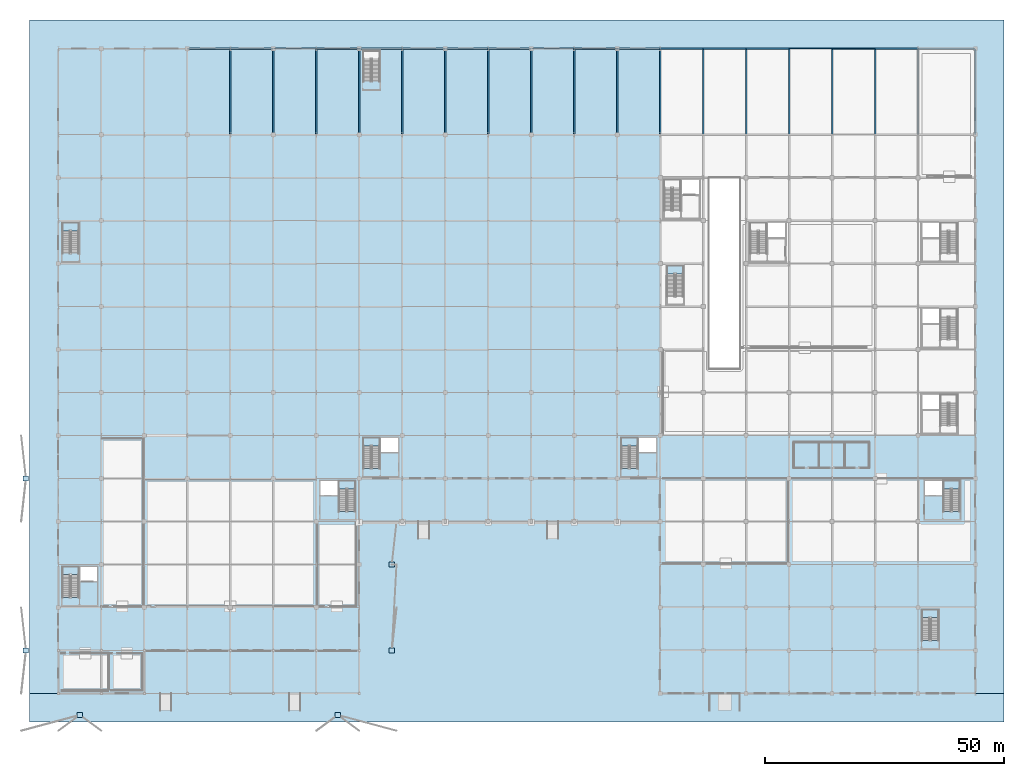
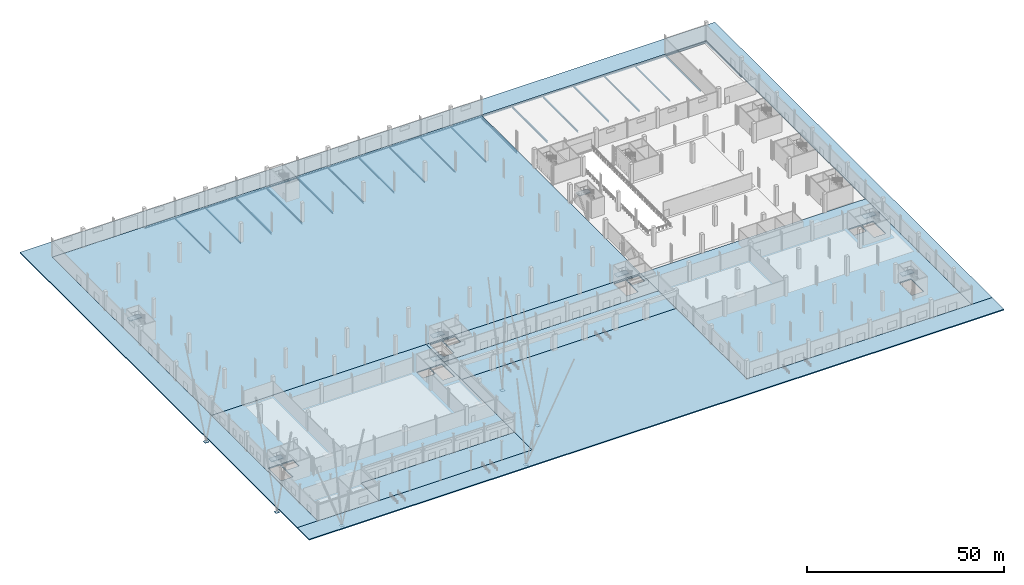
# One storey, part 24 of 58: 36 beams, 16 slabs, 6 plates, 8 elements without a shape of their own.
"""IFC4 building model written with IfcOpenShell, lengths in metres."""

from ifc_helpers import new_model, si_unit, direction, frame, origin, origin_2d, place, context, subcontext, project, spatial, polyline, rectangle, hollow_rectangle, i_section, outline, extrude, material, layer, layer_set, material_profile, profile_set, type_object, element, aggregate, save


model = new_model("IFC4")

# Units and contexts
model_context = context("Model", 3, precision=1e-05, world=origin(), true_north=direction((0.0, 1.0)))
body_context = subcontext(model_context, "Body", "Model", "MODEL_VIEW")
ifc_project = project(units=[si_unit("LENGTHUNIT", "METRE"), si_unit("AREAUNIT", "SQUARE_METRE"), si_unit("VOLUMEUNIT", "CUBIC_METRE"), si_unit("PLANEANGLEUNIT", "RADIAN"), si_unit("MASSUNIT", "GRAM", prefix="KILO")], contexts=[model_context])

# Site, building, storey
site_placement = place(None, origin())
site = spatial("IfcSite", under=ifc_project, at=site_placement, CompositionType="ELEMENT")
building_placement = place(site_placement, origin())
building = spatial("IfcBuilding", under=site, at=building_placement, Name="Barlavento Convention Centre", CompositionType="ELEMENT")
storey_placement = place(building_placement, origin())
storey = spatial("IfcBuildingStorey", under=building, at=storey_placement, Name="L00", CompositionType="ELEMENT", Elevation=0.0)

# Beams
ifc_material_1 = material(Name="Steel S355", Category="steel")
ifc_material_profile_1 = material_profile(ifc_material_1, i_section(OverallWidth=0.300048828125, OverallDepth=0.330078125, WebThickness=0.009521484375, FlangeThickness=0.0166015625, FilletRadius=0.027099609375, at=origin_2d()), Name="HEA 340")
ifc_profile_set_1 = profile_set([ifc_material_profile_1], Name="Steel S355")
beam_type_1 = type_object("IfcBeamType", Name="STR-BM-PRI-HEA340", PredefinedType="BEAM", material=ifc_profile_set_1)
for number, where, z_axis, x_axis, name in (
    (1, (45.0, 117.02001953125, -0.544921875), (0.0, 1.0, 0.0), (-1.0, 0.0, 0.0), "L00 grid girder BG24"),
    (2, (117.0, 117.02001953125, -0.544921875), (0.0, 1.0, 0.0), (-1.0, 0.0, 0.0), "L00 grid girder BG24"),
):
    element("IfcBeam", number, at=place(storey_placement, frame(where, z_axis=z_axis, x_axis=x_axis)), inside=storey, type_object=beam_type_1, Name=name, PredefinedType="BEAM", context=body_context, shape_type="SweptSolid", body=[
        extrude(i_section(OverallWidth=0.300048828125, OverallDepth=0.330078125, WebThickness=0.009521484375, FlangeThickness=0.0166015625, FilletRadius=0.027099609375, at=origin_2d()), origin(), (0.0, 0.0, 1.0), 17.9599609375),
    ])
ifc_material_profile_2 = material_profile(ifc_material_1, i_section(OverallWidth=0.300048828125, OverallDepth=0.35009765625, WebThickness=0.010009765625, FlangeThickness=0.017578125, FilletRadius=0.027099609375, at=origin_2d()), Name="HEA 360")
ifc_profile_set_2 = profile_set([ifc_material_profile_2], Name="Steel S355")
beam_type_2 = type_object("IfcBeamType", Name="STR-BM-PRI-HEA360", PredefinedType="BEAM", material=ifc_profile_set_2)
for number, where, z_axis, x_axis, name in (
    (3, (36.0, 117.02001953125, -0.554931640625), (0.0, 1.0, 0.0), (-1.0, 0.0, 0.0), "L00 grid girder BG23"),
    (4, (108.0, 117.02001953125, -0.554931640625), (0.0, 1.0, 0.0), (-1.0, 0.0, 0.0), "L00 grid girder BG23"),
    (5, (180.0, 117.02001953125, -0.594970703125), (0.0, 1.0, 0.0), (-1.0, 0.0, 0.0), "L00 grid girder BG23"),
):
    element("IfcBeam", number, at=place(storey_placement, frame(where, z_axis=z_axis, x_axis=x_axis)), inside=storey, type_object=beam_type_2, Name=name, PredefinedType="BEAM", context=body_context, shape_type="SweptSolid", body=[
        extrude(i_section(OverallWidth=0.300048828125, OverallDepth=0.35009765625, WebThickness=0.010009765625, FlangeThickness=0.017578125, FilletRadius=0.027099609375, at=origin_2d()), origin(), (0.0, 0.0, 1.0), 17.9599609375),
    ])
ifc_material_profile_3 = material_profile(ifc_material_1, i_section(OverallWidth=0.300048828125, OverallDepth=0.389892578125, WebThickness=0.010986328125, FlangeThickness=0.01904296875, FilletRadius=0.027099609375, at=origin_2d()), Name="HEA 400")
ifc_profile_set_3 = profile_set([ifc_material_profile_3], Name="Steel S355")
beam_type_3 = type_object("IfcBeamType", Name="STR-BM-PRI-HEA400", PredefinedType="BEAM", material=ifc_profile_set_3)
for number, where, z_axis, x_axis, name in (
    (6, (99.0, 117.02001953125, -0.574951171875), (0.0, 1.0, 0.0), (-1.0, 0.0, 0.0), "L00 grid girder BG22"),
    (7, (171.0, 117.02001953125, -0.5048828125), (0.0, 1.0, 0.0), (-1.0, 0.0, 0.0), "L00 grid girder BG22"),
):
    element("IfcBeam", number, at=place(storey_placement, frame(where, z_axis=z_axis, x_axis=x_axis)), inside=storey, type_object=beam_type_3, Name=name, PredefinedType="BEAM", context=body_context, shape_type="SweptSolid", body=[
        extrude(i_section(OverallWidth=0.300048828125, OverallDepth=0.389892578125, WebThickness=0.010986328125, FlangeThickness=0.01904296875, FilletRadius=0.027099609375, at=origin_2d()), origin(), (0.0, 0.0, 1.0), 17.9599609375),
    ])
ifc_material_profile_4 = material_profile(ifc_material_1, i_section(OverallWidth=0.300048828125, OverallDepth=0.43994140625, WebThickness=0.011474609375, FlangeThickness=0.02099609375, FilletRadius=0.027099609375, at=origin_2d()), Name="HEA 450")
ifc_profile_set_4 = profile_set([ifc_material_profile_4], Name="Steel S355")
beam_type_4 = type_object("IfcBeamType", Name="STR-BM-PRI-HEA450", PredefinedType="BEAM", material=ifc_profile_set_4)
for number, where, z_axis, x_axis, name in (
    (8, (90.0, 117.02001953125, -0.60009765625), (0.0, 1.0, 0.0), (-1.0, 0.0, 0.0), "L00 grid girder BG21"),
    (9, (162.0, 117.02001953125, -0.530029296875), (0.0, 1.0, 0.0), (-1.0, 0.0, 0.0), "L00 grid girder BG21"),
):
    element("IfcBeam", number, at=place(storey_placement, frame(where, z_axis=z_axis, x_axis=x_axis)), inside=storey, type_object=beam_type_4, Name=name, PredefinedType="BEAM", context=body_context, shape_type="SweptSolid", body=[
        extrude(i_section(OverallWidth=0.300048828125, OverallDepth=0.43994140625, WebThickness=0.011474609375, FlangeThickness=0.02099609375, FilletRadius=0.027099609375, at=origin_2d()), origin(), (0.0, 0.0, 1.0), 17.9599609375),
    ])
ifc_material_profile_5 = material_profile(ifc_material_1, i_section(OverallWidth=0.300048828125, OverallDepth=0.489990234375, WebThickness=0.011962890625, FlangeThickness=0.02294921875, FilletRadius=0.027099609375, at=origin_2d()), Name="HEA 500")
ifc_profile_set_5 = profile_set([ifc_material_profile_5], Name="Steel S355")
beam_type_5 = type_object("IfcBeamType", Name="STR-BM-PRI-HEA500", PredefinedType="BEAM", material=ifc_profile_set_5)
for number, where, z_axis, x_axis, name in (
    (10, (81.0, 117.02001953125, -0.625), (0.0, 1.0, 0.0), (-1.0, 0.0, 0.0), "L00 grid girder BG20"),
    (11, (153.0, 117.02001953125, -0.554931640625), (0.0, 1.0, 0.0), (-1.0, 0.0, 0.0), "L00 grid girder BG20"),
):
    element("IfcBeam", number, at=place(storey_placement, frame(where, z_axis=z_axis, x_axis=x_axis)), inside=storey, type_object=beam_type_5, Name=name, PredefinedType="BEAM", context=body_context, shape_type="SweptSolid", body=[
        extrude(i_section(OverallWidth=0.300048828125, OverallDepth=0.489990234375, WebThickness=0.011962890625, FlangeThickness=0.02294921875, FilletRadius=0.027099609375, at=origin_2d()), origin(), (0.0, 0.0, 1.0), 17.9599609375),
    ])
ifc_material_profile_6 = material_profile(ifc_material_1, i_section(OverallWidth=0.300048828125, OverallDepth=0.5400390625, WebThickness=0.012451171875, FlangeThickness=0.02392578125, FilletRadius=0.027099609375, at=origin_2d()), Name="HEA 550")
ifc_profile_set_6 = profile_set([ifc_material_profile_6], Name="Steel S355")
beam_type_6 = type_object("IfcBeamType", Name="STR-BM-PRI-HEA550", PredefinedType="BEAM", material=ifc_profile_set_6)
for number, where, z_axis, x_axis, name in (
    (12, (72.0, 117.02001953125, -0.64990234375), (0.0, 1.0, 0.0), (-1.0, 0.0, 0.0), "L00 grid girder BG19"),
    (13, (144.0, 117.02001953125, -0.580078125), (0.0, 1.0, 0.0), (-1.0, 0.0, 0.0), "L00 grid girder BG19"),
):
    element("IfcBeam", number, at=place(storey_placement, frame(where, z_axis=z_axis, x_axis=x_axis)), inside=storey, type_object=beam_type_6, Name=name, PredefinedType="BEAM", context=body_context, shape_type="SweptSolid", body=[
        extrude(i_section(OverallWidth=0.300048828125, OverallDepth=0.5400390625, WebThickness=0.012451171875, FlangeThickness=0.02392578125, FilletRadius=0.027099609375, at=origin_2d()), origin(), (0.0, 0.0, 1.0), 17.9599609375),
    ])
ifc_material_profile_7 = material_profile(ifc_material_1, i_section(OverallWidth=0.300048828125, OverallDepth=0.590087890625, WebThickness=0.012939453125, FlangeThickness=0.02490234375, FilletRadius=0.027099609375, at=origin_2d()), Name="HEA 600")
ifc_profile_set_7 = profile_set([ifc_material_profile_7], Name="Steel S355")
beam_type_7 = type_object("IfcBeamType", Name="STR-BM-PRI-HEA600", PredefinedType="BEAM", material=ifc_profile_set_7)
for number, where, z_axis, x_axis, name in (
    (14, (63.0, 117.02001953125, -0.675048828125), (0.0, 1.0, 0.0), (-1.0, 0.0, 0.0), "L00 grid girder BG18"),
    (15, (135.0, 117.02001953125, -0.60498046875), (0.0, 1.0, 0.0), (-1.0, 0.0, 0.0), "L00 grid girder BG18"),
):
    element("IfcBeam", number, at=place(storey_placement, frame(where, z_axis=z_axis, x_axis=x_axis)), inside=storey, type_object=beam_type_7, Name=name, PredefinedType="BEAM", context=body_context, shape_type="SweptSolid", body=[
        extrude(i_section(OverallWidth=0.300048828125, OverallDepth=0.590087890625, WebThickness=0.012939453125, FlangeThickness=0.02490234375, FilletRadius=0.027099609375, at=origin_2d()), origin(), (0.0, 0.0, 1.0), 17.9599609375),
    ])
ifc_material_profile_8 = material_profile(ifc_material_1, i_section(OverallWidth=0.300048828125, OverallDepth=0.639892578125, WebThickness=0.013427734375, FlangeThickness=0.02587890625, FilletRadius=0.027099609375, at=origin_2d()), Name="HEA 650")
ifc_profile_set_8 = profile_set([ifc_material_profile_8], Name="Steel S355")
beam_type_8 = type_object("IfcBeamType", Name="STR-BM-PRI-HEA650", PredefinedType="BEAM", material=ifc_profile_set_8)
for number, where, z_axis, x_axis, name in (
    (16, (54.0, 117.02001953125, -0.699951171875), (0.0, 1.0, 0.0), (-1.0, 0.0, 0.0), "L00 grid girder BG17"),
    (17, (126.0, 117.02001953125, -0.699951171875), (0.0, 1.0, 0.0), (-1.0, 0.0, 0.0), "L00 grid girder BG17"),
):
    element("IfcBeam", number, at=place(storey_placement, frame(where, z_axis=z_axis, x_axis=x_axis)), inside=storey, type_object=beam_type_8, Name=name, PredefinedType="BEAM", context=body_context, shape_type="SweptSolid", body=[
        extrude(i_section(OverallWidth=0.300048828125, OverallDepth=0.639892578125, WebThickness=0.013427734375, FlangeThickness=0.02587890625, FilletRadius=0.027099609375, at=origin_2d()), origin(), (0.0, 0.0, 1.0), 17.9599609375),
    ])
ifc_material_profile_9 = material_profile(ifc_material_1, i_section(OverallWidth=0.239990234375, OverallDepth=0.22998046875, WebThickness=0.007568359375, FlangeThickness=0.011962890625, FilletRadius=0.02099609375, at=origin_2d()), Name="HEA 240")
ifc_profile_set_9 = profile_set([ifc_material_profile_9], Name="Steel S355")
beam_type_9 = type_object("IfcBeamType", Name="STR-BM-SPN-HEA240", PredefinedType="SPANDREL", material=ifc_profile_set_9)
for number, where, z_axis, x_axis, name in (
    (18, (45.02001953125, 135.0, -0.4951171875), (1.0, 0.0, 0.0), (0.0, 1.0, 0.0), "L00 primary girder SP05"),
    (19, (99.02001953125, 135.0, -0.4951171875), (1.0, 0.0, 0.0), (0.0, 1.0, 0.0), "L00 primary girder SP05"),
    (20, (153.02001953125, 135.0, -0.425048828125), (1.0, 0.0, 0.0), (0.0, 1.0, 0.0), "L00 primary girder SP05"),
):
    element("IfcBeam", number, at=place(storey_placement, frame(where, z_axis=z_axis, x_axis=x_axis)), inside=storey, type_object=beam_type_9, Name=name, PredefinedType="SPANDREL", context=body_context, shape_type="SweptSolid", body=[
        extrude(i_section(OverallWidth=0.239990234375, OverallDepth=0.22998046875, WebThickness=0.007568359375, FlangeThickness=0.011962890625, FilletRadius=0.02099609375, at=origin_2d()), origin(), (0.0, 0.0, 1.0), 8.9599609375),
    ])
ifc_material_profile_10 = material_profile(ifc_material_1, i_section(OverallWidth=0.260009765625, OverallDepth=0.25, WebThickness=0.007568359375, FlangeThickness=0.012451171875, FilletRadius=0.02392578125, at=origin_2d()), Name="HEA 260")
ifc_profile_set_10 = profile_set([ifc_material_profile_10], Name="Steel S355")
beam_type_10 = type_object("IfcBeamType", Name="STR-BM-SPN-HEA260", PredefinedType="SPANDREL", material=ifc_profile_set_10)
for number, where, z_axis, x_axis, name in (
    (21, (36.02001953125, 135.0, -0.5048828125), (1.0, 0.0, 0.0), (0.0, 1.0, 0.0), "L00 primary girder SP04"),
    (22, (90.02001953125, 135.0, -0.5048828125), (1.0, 0.0, 0.0), (0.0, 1.0, 0.0), "L00 primary girder SP04"),
    (23, (144.02001953125, 135.0, -0.43505859375), (1.0, 0.0, 0.0), (0.0, 1.0, 0.0), "L00 primary girder SP04"),
):
    element("IfcBeam", number, at=place(storey_placement, frame(where, z_axis=z_axis, x_axis=x_axis)), inside=storey, type_object=beam_type_10, Name=name, PredefinedType="SPANDREL", context=body_context, shape_type="SweptSolid", body=[
        extrude(i_section(OverallWidth=0.260009765625, OverallDepth=0.25, WebThickness=0.007568359375, FlangeThickness=0.012451171875, FilletRadius=0.02392578125, at=origin_2d()), origin(), (0.0, 0.0, 1.0), 8.9599609375),
    ])
beam_1_placement = place(storey_placement, frame((192.0, 117.02001953125, -0.544921875), z_axis=(0.0, 1.0, 0.0), x_axis=(-1.0, 0.0, 0.0)))
element("IfcBeam", 24, at=beam_1_placement, inside=storey, type_object=beam_type_10, Name="L00 grid girder SP04", PredefinedType="SPANDREL", context=body_context, shape_type="SweptSolid", body=[
    extrude(i_section(OverallWidth=0.260009765625, OverallDepth=0.25, WebThickness=0.007568359375, FlangeThickness=0.012451171875, FilletRadius=0.02392578125, at=origin_2d()), origin(), (0.0, 0.0, 1.0), 17.9599609375),
])
ifc_material_profile_11 = material_profile(ifc_material_1, i_section(OverallWidth=0.280029296875, OverallDepth=0.27001953125, WebThickness=0.008056640625, FlangeThickness=0.012939453125, FilletRadius=0.02392578125, at=origin_2d()), Name="HEA 280")
ifc_profile_set_11 = profile_set([ifc_material_profile_11], Name="Steel S355")
beam_type_11 = type_object("IfcBeamType", Name="STR-BM-SPN-HEA280", PredefinedType="SPANDREL", material=ifc_profile_set_11)
for number, where, z_axis, x_axis, name in (
    (25, (27.02001953125, 135.0, -0.514892578125), (1.0, 0.0, 0.0), (0.0, 1.0, 0.0), "L00 primary girder SP03"),
    (26, (81.02001953125, 135.0, -0.514892578125), (1.0, 0.0, 0.0), (0.0, 1.0, 0.0), "L00 primary girder SP03"),
    (27, (135.02001953125, 135.0, -0.445068359375), (1.0, 0.0, 0.0), (0.0, 1.0, 0.0), "L00 primary girder SP03"),
):
    element("IfcBeam", number, at=place(storey_placement, frame(where, z_axis=z_axis, x_axis=x_axis)), inside=storey, type_object=beam_type_11, Name=name, PredefinedType="SPANDREL", context=body_context, shape_type="SweptSolid", body=[
        extrude(i_section(OverallWidth=0.280029296875, OverallDepth=0.27001953125, WebThickness=0.008056640625, FlangeThickness=0.012939453125, FilletRadius=0.02392578125, at=origin_2d()), origin(), (0.0, 0.0, 1.0), 8.9599609375),
    ])
ifc_material_profile_12 = material_profile(ifc_material_1, i_section(OverallWidth=0.300048828125, OverallDepth=0.2900390625, WebThickness=0.008544921875, FlangeThickness=0.013916015625, FilletRadius=0.027099609375, at=origin_2d()), Name="HEA 300")
ifc_profile_set_12 = profile_set([ifc_material_profile_12], Name="Steel S355")
beam_type_12 = type_object("IfcBeamType", Name="STR-BM-SPN-HEA300", PredefinedType="SPANDREL", material=ifc_profile_set_12)
for number, where, z_axis, x_axis, name in (
    (28, (72.02001953125, 135.0, -0.52490234375), (1.0, 0.0, 0.0), (0.0, 1.0, 0.0), "L00 primary girder SP02"),
    (29, (126.02001953125, 135.0, -0.52490234375), (1.0, 0.0, 0.0), (0.0, 1.0, 0.0), "L00 primary girder SP02"),
):
    element("IfcBeam", number, at=place(storey_placement, frame(where, z_axis=z_axis, x_axis=x_axis)), inside=storey, type_object=beam_type_12, Name=name, PredefinedType="SPANDREL", context=body_context, shape_type="SweptSolid", body=[
        extrude(i_section(OverallWidth=0.300048828125, OverallDepth=0.2900390625, WebThickness=0.008544921875, FlangeThickness=0.013916015625, FilletRadius=0.027099609375, at=origin_2d()), origin(), (0.0, 0.0, 1.0), 8.9599609375),
    ])
beam_2_placement = place(storey_placement, frame((180.02001953125, 135.0, -0.56494140625), z_axis=(1.0, 0.0, 0.0), x_axis=(0.0, 1.0, 0.0)))
element("IfcBeam", 30, at=beam_2_placement, inside=storey, type_object=beam_type_12, Name="L00 primary girder SP02", PredefinedType="SPANDREL", context=body_context, shape_type="SweptSolid", body=[
    extrude(i_section(OverallWidth=0.300048828125, OverallDepth=0.2900390625, WebThickness=0.008544921875, FlangeThickness=0.013916015625, FilletRadius=0.027099609375, at=origin_2d()), origin(), (0.0, 0.0, 1.0), 11.9599609375),
])
ifc_material_profile_13 = material_profile(ifc_material_1, i_section(OverallWidth=0.300048828125, OverallDepth=0.31005859375, WebThickness=0.009033203125, FlangeThickness=0.015380859375, FilletRadius=0.027099609375, at=origin_2d()), Name="HEA 320")
ifc_profile_set_13 = profile_set([ifc_material_profile_13], Name="Steel S355")
beam_type_13 = type_object("IfcBeamType", Name="STR-BM-SPN-HEA320", PredefinedType="SPANDREL", material=ifc_profile_set_13)
for number, where, z_axis, x_axis, name in (
    (31, (63.02001953125, 135.0, -0.534912109375), (1.0, 0.0, 0.0), (0.0, 1.0, 0.0), "L00 primary girder SP01"),
    (32, (117.02001953125, 135.0, -0.534912109375), (1.0, 0.0, 0.0), (0.0, 1.0, 0.0), "L00 primary girder SP01"),
    (33, (171.02001953125, 135.0, -0.574951171875), (1.0, 0.0, 0.0), (0.0, 1.0, 0.0), "L00 primary girder SP01"),
):
    element("IfcBeam", number, at=place(storey_placement, frame(where, z_axis=z_axis, x_axis=x_axis)), inside=storey, type_object=beam_type_13, Name=name, PredefinedType="SPANDREL", context=body_context, shape_type="SweptSolid", body=[
        extrude(i_section(OverallWidth=0.300048828125, OverallDepth=0.31005859375, WebThickness=0.009033203125, FlangeThickness=0.015380859375, FilletRadius=0.027099609375, at=origin_2d()), origin(), (0.0, 0.0, 1.0), 8.9599609375),
    ])
ifc_material_profile_14 = material_profile(ifc_material_1, hollow_rectangle(XDim=0.199951171875, YDim=0.39990234375, WallThickness=0.01611328125, at=origin_2d()), Name="RHS 400x200x16.0")
ifc_profile_set_14 = profile_set([ifc_material_profile_14], Name="Steel S355")
beam_type_14 = type_object("IfcBeamType", Name="STR-BM-SPN-RHS400", PredefinedType="SPANDREL", material=ifc_profile_set_14)
for number, where, z_axis, x_axis, name in (
    (34, (54.02001953125, 135.0, -0.580078125), (1.0, 0.0, 0.0), (0.0, 1.0, 0.0), "L00 primary girder SP06"),
    (35, (108.02001953125, 135.0, -0.580078125), (1.0, 0.0, 0.0), (0.0, 1.0, 0.0), "L00 primary girder SP06"),
    (36, (162.02001953125, 135.0, -0.510009765625), (1.0, 0.0, 0.0), (0.0, 1.0, 0.0), "L00 primary girder SP06"),
):
    element("IfcBeam", number, at=place(storey_placement, frame(where, z_axis=z_axis, x_axis=x_axis)), inside=storey, type_object=beam_type_14, Name=name, PredefinedType="SPANDREL", context=body_context, shape_type="SweptSolid", body=[
        extrude(hollow_rectangle(XDim=0.199951171875, YDim=0.39990234375, WallThickness=0.01611328125, at=origin_2d()), origin(), (0.0, 0.0, 1.0), 8.9599609375),
    ])

# Stair, slab
ifc_material_2 = material(Name="Concrete C40/50", Category="concrete")
stair_type_1 = type_object("IfcStairType", Name="ARC-STR-DOG-1620", PredefinedType="HALF_TURN_STAIR", material=ifc_material_2)
stair_1_placement = place(storey_placement, origin())
stair_1 = element("IfcStair", 37, at=stair_1_placement, inside=storey, type_object=stair_type_1, Name="L00 ST01", PredefinedType="HALF_TURN_STAIR")
ifc_layer_1 = layer(ifc_material_2, 0.199951171875)
ifc_layer_set_1 = layer_set([ifc_layer_1], Name="ARC-SLB-LND-200")
slab_type_1 = type_object("IfcSlabType", Name="ARC-SLB-LND-200", PredefinedType="LANDING", material=ifc_layer_set_1)
slab_1_placement = place(storey_placement, frame((0.0, 0.0, 2.800048828125)))
slab_1 = element("IfcSlab", 38, at=slab_1_placement, type_object=slab_type_1, Name="ST01 landing 1", PredefinedType="LANDING", context=body_context, shape_type="SweptSolid", body=[
    extrude(outline(polyline([(4.2900390625, 24.85009765625), (4.2900390625, 26.530029296875), (0.85009765625, 26.530029296875), (0.85009765625, 24.85009765625), (4.2900390625, 24.85009765625)])), origin(), (0.0, 0.0, 1.0), 0.199951171875),
])
aggregate(stair_1, [slab_1])

stair_2_placement = place(storey_placement, origin())
stair_2 = element("IfcStair", 39, at=stair_2_placement, inside=storey, type_object=stair_type_1, Name="L00 ST02", PredefinedType="HALF_TURN_STAIR")
slab_2_placement = place(storey_placement, frame((0.0, 0.0, 2.800048828125)))
slab_2 = element("IfcSlab", 40, at=slab_2_placement, type_object=slab_type_1, Name="ST02 landing 1", PredefinedType="LANDING", context=body_context, shape_type="SweptSolid", body=[
    extrude(outline(polyline([(62.14990234375, 42.85009765625), (62.14990234375, 44.530029296875), (58.7099609375, 44.530029296875), (58.7099609375, 42.85009765625), (62.14990234375, 42.85009765625)])), origin(), (0.0, 0.0, 1.0), 0.199951171875),
])
aggregate(stair_2, [slab_2])

stair_3_placement = place(storey_placement, origin())
stair_3 = element("IfcStair", 41, at=stair_3_placement, inside=storey, type_object=stair_type_1, Name="L00 ST03", PredefinedType="HALF_TURN_STAIR")
slab_3_placement = place(storey_placement, frame((0.0, 0.0, 2.800048828125)))
slab_3 = element("IfcSlab", 42, at=slab_3_placement, type_object=slab_type_1, Name="ST03 landing 1", PredefinedType="LANDING", context=body_context, shape_type="SweptSolid", body=[
    extrude(outline(polyline([(67.2900390625, 51.85009765625), (67.2900390625, 53.530029296875), (63.85009765625, 53.530029296875), (63.85009765625, 51.85009765625), (67.2900390625, 51.85009765625)])), origin(), (0.0, 0.0, 1.0), 0.199951171875),
])
aggregate(stair_3, [slab_3])

stair_4_placement = place(storey_placement, origin())
stair_4 = element("IfcStair", 43, at=stair_4_placement, inside=storey, type_object=stair_type_1, Name="L00 ST04", PredefinedType="HALF_TURN_STAIR")
slab_4_placement = place(storey_placement, frame((0.0, 0.0, 2.800048828125)))
slab_4 = element("IfcSlab", 44, at=slab_4_placement, type_object=slab_type_1, Name="ST04 landing 1", PredefinedType="LANDING", context=body_context, shape_type="SweptSolid", body=[
    extrude(outline(polyline([(121.2900390625, 51.85009765625), (121.2900390625, 53.530029296875), (117.85009765625, 53.530029296875), (117.85009765625, 51.85009765625), (121.2900390625, 51.85009765625)])), origin(), (0.0, 0.0, 1.0), 0.199951171875),
])
aggregate(stair_4, [slab_4])

stair_5_placement = place(storey_placement, origin())
stair_5 = element("IfcStair", 45, at=stair_5_placement, inside=storey, type_object=stair_type_1, Name="L00 ST06", PredefinedType="HALF_TURN_STAIR")
slab_5_placement = place(storey_placement, frame((0.0, 0.0, 2.800048828125)))
slab_5 = element("IfcSlab", 46, at=slab_5_placement, type_object=slab_type_1, Name="ST06 landing 1", PredefinedType="LANDING", context=body_context, shape_type="SweptSolid", body=[
    extrude(outline(polyline([(188.75, 42.85009765625), (188.75, 44.530029296875), (185.31005859375, 44.530029296875), (185.31005859375, 42.85009765625), (188.75, 42.85009765625)])), origin(), (0.0, 0.0, 1.0), 0.199951171875),
])
aggregate(stair_5, [slab_5])

stair_6_placement = place(storey_placement, origin())
stair_6 = element("IfcStair", 47, at=stair_6_placement, inside=storey, type_object=stair_type_1, Name="L00 ST11", PredefinedType="HALF_TURN_STAIR")
slab_6_placement = place(storey_placement, frame((0.0, 0.0, 2.800048828125)))
slab_6 = element("IfcSlab", 48, at=slab_6_placement, type_object=slab_type_1, Name="ST11 landing 1", PredefinedType="LANDING", context=body_context, shape_type="SweptSolid", body=[
    extrude(outline(polyline([(4.2900390625, 96.85009765625), (4.2900390625, 98.530029296875), (0.85009765625, 98.530029296875), (0.85009765625, 96.85009765625), (4.2900390625, 96.85009765625)])), origin(), (0.0, 0.0, 1.0), 0.199951171875),
])
aggregate(stair_6, [slab_6])

stair_type_2 = type_object("IfcStairType", Name="ARC-STR-DOG-1600", PredefinedType="HALF_TURN_STAIR", material=ifc_material_2)
stair_7_placement = place(storey_placement, origin())
stair_7 = element("IfcStair", 49, at=stair_7_placement, inside=storey, type_object=stair_type_2, Name="L00 ST12", PredefinedType="HALF_TURN_STAIR")
slab_7_placement = place(storey_placement, frame((0.0, 0.0, 2.800048828125)))
slab_7 = element("IfcSlab", 50, at=slab_7_placement, type_object=slab_type_1, Name="ST12 landing 1", PredefinedType="LANDING", context=body_context, shape_type="SweptSolid", body=[
    extrude(outline(polyline([(130.85009765625, 87.830078125), (130.85009765625, 89.530029296875), (127.449951171875, 89.530029296875), (127.449951171875, 87.830078125), (130.85009765625, 87.830078125)])), origin(), (0.0, 0.0, 1.0), 0.199951171875),
])
aggregate(stair_7, [slab_7])

stair_8_placement = place(storey_placement, origin())
stair_8 = element("IfcStair", 51, at=stair_8_placement, inside=storey, type_object=stair_type_1, Name="L00 ST14", PredefinedType="HALF_TURN_STAIR")
slab_8_placement = place(storey_placement, frame((0.0, 0.0, 2.800048828125)))
slab_8 = element("IfcSlab", 52, at=slab_8_placement, type_object=slab_type_1, Name="ST14 landing 1", PredefinedType="LANDING", context=body_context, shape_type="SweptSolid", body=[
    extrude(outline(polyline([(184.2900390625, 15.85009765625), (184.2900390625, 17.530029296875), (180.85009765625, 17.530029296875), (180.85009765625, 15.85009765625), (184.2900390625, 15.85009765625)])), origin(), (0.0, 0.0, 1.0), 0.199951171875),
])
aggregate(stair_8, [slab_8])

# Slabs
ifc_layer_2 = layer(ifc_material_2, 0.25)
ifc_layer_set_2 = layer_set([ifc_layer_2], Name="ARC-SLB-PAV-250")
slab_type_2 = type_object("IfcSlabType", Name="ARC-SLB-PAV-250", PredefinedType="FLOOR", material=ifc_layer_set_2)
slab_9_placement = place(storey_placement, frame((0.0, 0.0, -0.25)))
element("IfcSlab", 53, at=slab_9_placement, inside=storey, type_object=slab_type_2, Name="L00 outdoor terrace or apron slab AS-01", PredefinedType="FLOOR", context=body_context, shape_type="SweptSolid", body=[
    extrude(outline(polyline([(18.0, 0.0), (63.0, 0.0), (63.0, 9.0), (18.0, 9.0), (18.0, 0.0)])), origin(), (0.0, 0.0, 1.0), 0.25),
])
ifc_layer_3 = layer(ifc_material_2, 0.31005859375)
ifc_layer_set_3 = layer_set([ifc_layer_3], Name="ARC-SLB-PAV-300")
slab_type_3 = type_object("IfcSlabType", Name="ARC-SLB-PAV-300", PredefinedType="FLOOR", material=ifc_layer_set_3)
slab_10_placement = place(storey_placement, frame((0.0, 0.0, -0.31005859375)))
element("IfcSlab", 54, at=slab_10_placement, inside=storey, type_object=slab_type_3, Name="L00 outdoor terrace or apron slab AS-02", PredefinedType="FLOOR", context=body_context, shape_type="SweptSolid", body=[
    extrude(outline(polyline([(63.0, 36.0), (126.0, 36.0), (126.0, 45.0), (63.0, 45.0), (63.0, 36.0)])), origin(), (0.0, 0.0, 1.0), 0.31005859375),
])
slab_11_placement = place(storey_placement, frame((0.0, 0.0, -0.31005859375)))
element("IfcSlab", 55, at=slab_11_placement, inside=storey, type_object=slab_type_3, Name="L00 outdoor terrace or apron slab AS-04", PredefinedType="FLOOR", context=body_context, shape_type="SweptSolid", body=[
    extrude(outline(polyline([(-6.0, -6.0), (198.0, -6.0), (198.0, 0.0), (126.0, 0.0), (126.0, 36.0), (63.0, 36.0), (63.0, 0.0), (-6.0, 0.0), (-6.0, -6.0)])), origin(), (0.0, 0.0, 1.0), 0.31005859375),
])
slab_12_placement = place(storey_placement, frame((0.0, 0.0, -0.31005859375)))
element("IfcSlab", 56, at=slab_12_placement, inside=storey, type_object=slab_type_3, Name="L00 outdoor terrace or apron slab AS-05", PredefinedType="FLOOR", context=body_context, shape_type="SweptSolid", body=[
    extrude(outline(polyline([(-6.0, 0.0), (0.0, 0.0), (0.0, 135.0), (192.0, 135.0), (192.0, 0.0), (198.0, 0.0), (198.0, 141.0), (-6.0, 141.0), (-6.0, 0.0)])), origin(), (0.0, 0.0, 1.0), 0.31005859375),
])

# Plates
ifc_layer_4 = layer(ifc_material_1, 0.06005859375)
ifc_layer_set_4 = layer_set([ifc_layer_4], Name="STR-PLT-BASE-1100")
plate_type = type_object("IfcPlateType", Name="STR-PLT-BASE-1100", PredefinedType="SHEET", material=ifc_layer_set_4)
for number, where, z_axis, x_axis, name in (
    (57, (4.5, -4.5, -0.330078125), (0.0, 0.0, 1.0), (1.0, 0.0, 0.0), "Canopy V-strut clevis base plate BP01"),
    (58, (58.5, -4.5, -0.330078125), (0.0, 0.0, 1.0), (1.0, 0.0, 0.0), "Canopy V-strut clevis base plate BP01"),
    (59, (-6.800048828125, 9.0, -0.330078125), (0.0, 0.0, 1.0), (1.0, 0.0, 0.0), "Canopy V-strut clevis base plate BP01"),
    (60, (-6.800048828125, 45.0, -0.330078125), (0.0, 0.0, 1.0), (1.0, 0.0, 0.0), "Canopy V-strut clevis base plate BP01"),
    (61, (69.800048828125, 9.0, -0.330078125), (0.0, 0.0, 1.0), (1.0, 0.0, 0.0), "Canopy V-strut clevis base plate BP01"),
    (62, (69.800048828125, 27.0, -0.330078125), (0.0, 0.0, 1.0), (1.0, 0.0, 0.0), "Canopy V-strut clevis base plate BP01"),
):
    element("IfcPlate", number, at=place(storey_placement, frame(where, z_axis=z_axis, x_axis=x_axis)), inside=storey, type_object=plate_type, Name=name, PredefinedType="SHEET", context=body_context, shape_type="SweptSolid", body=[
        extrude(rectangle(XDim=1.10009765625, YDim=1.10009765625, at=origin_2d()), origin(), (0.0, 0.0, 1.0), 0.06005859375),
    ])

# Slabs
ifc_layer_5 = layer(ifc_material_2, 0.3798828125)
ifc_layer_set_5 = layer_set([ifc_layer_5], Name="STR-SLB-EXH-380")
slab_type_4 = type_object("IfcSlabType", Name="STR-SLB-EXH-380", PredefinedType="FLOOR", material=ifc_layer_set_5)
slab_13_placement = place(storey_placement, frame((0.0, 0.0, -0.3798828125)))
element("IfcSlab", 63, at=slab_13_placement, inside=storey, type_object=slab_type_4, Name="L00 structural slab FS-004", PredefinedType="FLOOR", context=body_context, shape_type="SweptSolid", body=[
    extrude(outline(polyline([(0.0, 54.0), (126.0, 54.0), (126.0, 135.0), (0.0, 135.0), (0.0, 54.0)])), origin(), (0.0, 0.0, 1.0), 0.3798828125),
])
ifc_layer_6 = layer(ifc_material_2, 0.320068359375)
ifc_layer_set_6 = layer_set([ifc_layer_6], Name="STR-SLB-FLR-320")
slab_type_5 = type_object("IfcSlabType", Name="STR-SLB-FLR-320", PredefinedType="FLOOR", material=ifc_layer_set_6)
slab_14_placement = place(storey_placement, frame((0.0, 0.0, -0.320068359375)))
element("IfcSlab", 64, at=slab_14_placement, inside=storey, type_object=slab_type_5, Name="L00 structural slab FS-002", PredefinedType="FLOOR", context=body_context, shape_type="SweptSolid", body=[
    extrude(outline(polyline([(63.0, 45.0), (126.0, 45.0), (126.0, 54.0), (63.0, 54.0), (63.0, 45.0)]), holes=[polyline([(67.2900390625, 47.114990234375), (67.2900390625, 53.530029296875), (63.85009765625, 53.530029296875), (63.85009765625, 47.114990234375), (67.2900390625, 47.114990234375)]), polyline([(67.5400390625, 50.4951171875), (71.14990234375, 50.4951171875), (71.14990234375, 53.530029296875), (67.5400390625, 53.530029296875), (67.5400390625, 50.4951171875)]), polyline([(121.2900390625, 47.114990234375), (121.2900390625, 53.530029296875), (117.85009765625, 53.530029296875), (117.85009765625, 47.114990234375), (121.2900390625, 47.114990234375)]), polyline([(121.5400390625, 50.4951171875), (125.14990234375, 50.4951171875), (125.14990234375, 53.530029296875), (121.5400390625, 53.530029296875), (121.5400390625, 50.4951171875)])]), origin(), (0.0, 0.0, 1.0), 0.320068359375),
])
ifc_layer_7 = layer(ifc_material_2, 0.340087890625)
ifc_layer_set_7 = layer_set([ifc_layer_7], Name="STR-SLB-FLR-340")
slab_type_6 = type_object("IfcSlabType", Name="STR-SLB-FLR-340", PredefinedType="FLOOR", material=ifc_layer_set_7)
slab_15_placement = place(storey_placement, frame((0.0, 0.0, -0.340087890625)))
element("IfcSlab", 65, at=slab_15_placement, inside=storey, type_object=slab_type_6, Name="L00 structural slab FS-001", PredefinedType="FLOOR", context=body_context, shape_type="SweptSolid", body=[
    extrude(outline(polyline([(0.0, 0.0), (18.0, 0.0), (18.0, 9.0), (63.0, 9.0), (63.0, 54.0), (0.0, 54.0), (0.0, 0.0)]), holes=[polyline([(4.2900390625, 20.114990234375), (4.2900390625, 26.530029296875), (0.85009765625, 26.530029296875), (0.85009765625, 20.114990234375), (4.2900390625, 20.114990234375)]), polyline([(4.5400390625, 23.4951171875), (8.14990234375, 23.4951171875), (8.14990234375, 26.530029296875), (4.5400390625, 26.530029296875), (4.5400390625, 23.4951171875)]), polyline([(62.14990234375, 38.114990234375), (62.14990234375, 44.530029296875), (58.7099609375, 44.530029296875), (58.7099609375, 38.114990234375), (62.14990234375, 38.114990234375)]), polyline([(54.85009765625, 41.4951171875), (58.4599609375, 41.4951171875), (58.4599609375, 44.530029296875), (54.85009765625, 44.530029296875), (54.85009765625, 41.4951171875)])]), origin(), (0.0, 0.0, 1.0), 0.340087890625),
])
ifc_layer_8 = layer(ifc_material_2, 0.360107421875)
ifc_layer_set_8 = layer_set([ifc_layer_8], Name="STR-SLB-FLR-360")
slab_type_7 = type_object("IfcSlabType", Name="STR-SLB-FLR-360", PredefinedType="FLOOR", material=ifc_layer_set_8)
slab_16_placement = place(storey_placement, frame((0.0, 0.0, -0.360107421875)))
element("IfcSlab", 66, at=slab_16_placement, inside=storey, type_object=slab_type_7, Name="L00 structural slab FS-003", PredefinedType="FLOOR", context=body_context, shape_type="SweptSolid", body=[
    extrude(outline(polyline([(126.0, 0.0), (192.0, 0.0), (192.0, 54.0), (126.0, 54.0), (126.0, 0.0)]), holes=[polyline([(188.75, 38.114990234375), (188.75, 44.530029296875), (185.31005859375, 44.530029296875), (185.31005859375, 38.114990234375), (188.75, 38.114990234375)]), polyline([(181.449951171875, 41.4951171875), (185.06005859375, 41.4951171875), (185.06005859375, 44.530029296875), (181.449951171875, 44.530029296875), (181.449951171875, 41.4951171875)]), polyline([(184.2900390625, 11.114990234375), (184.2900390625, 17.530029296875), (180.85009765625, 17.530029296875), (180.85009765625, 11.114990234375), (184.2900390625, 11.114990234375)])]), origin(), (0.0, 0.0, 1.0), 0.360107421875),
])

save(model, "model.ifc")
